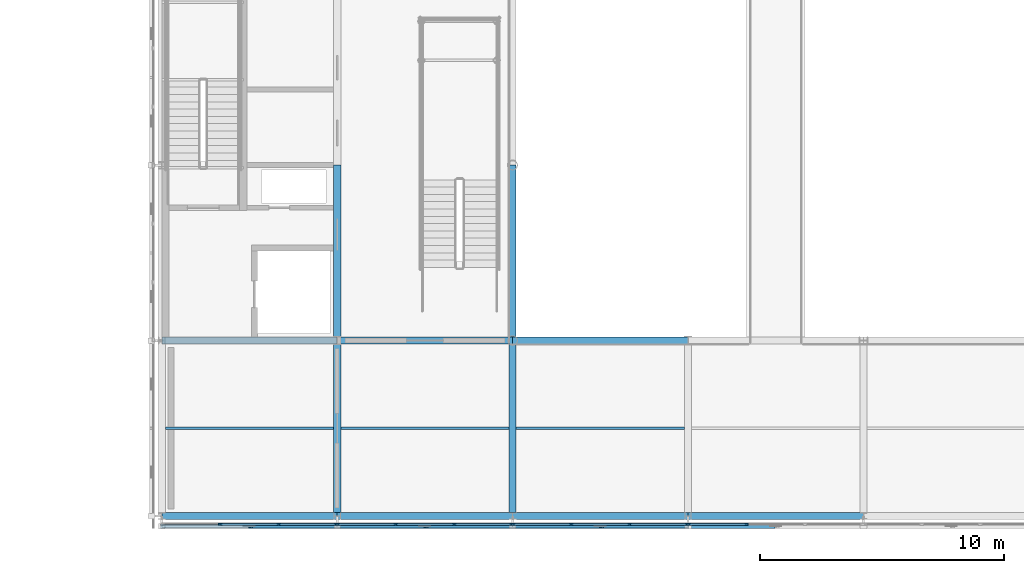
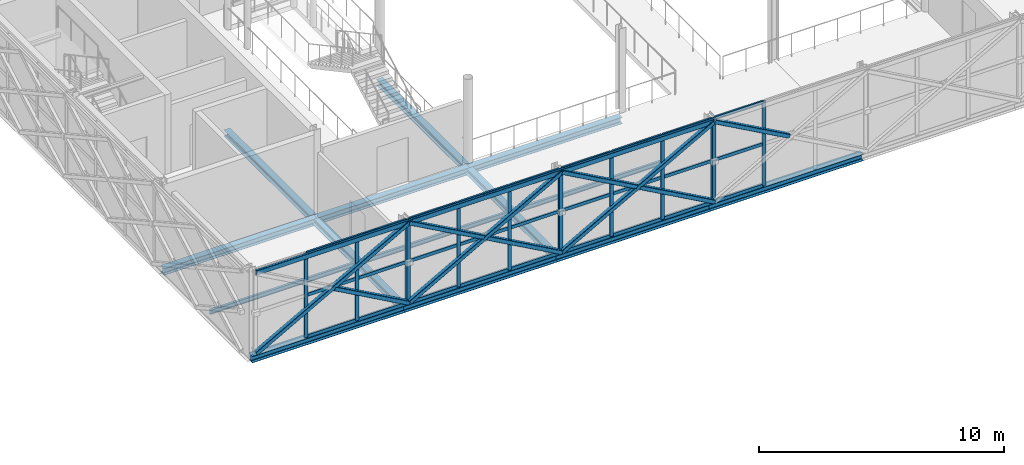
# One storey, part 36 of 103: 52 members, 14 beams, 4 elements without a shape of their own.
"""IFC4 building model written with IfcOpenShell, lengths in metres."""

from ifc_helpers import new_model, si_unit, direction, frame, origin, origin_2d, place, context, subcontext, project, spatial, rectangle, hollow_rectangle, i_section, extrude, material, material_profile, profile_set, type_object, element, aggregate, save


model = new_model("IFC4")

# Units and contexts
model_context = context("Model", 3, precision=1e-05, world=origin(), true_north=direction((0.0, 1.0)))
body_context = subcontext(model_context, "Body", "Model", "MODEL_VIEW")
ifc_project = project(units=[si_unit("LENGTHUNIT", "METRE"), si_unit("AREAUNIT", "SQUARE_METRE"), si_unit("VOLUMEUNIT", "CUBIC_METRE"), si_unit("PLANEANGLEUNIT", "RADIAN"), si_unit("MASSUNIT", "GRAM", prefix="KILO")], contexts=[model_context])

# Site, building, storey
site_placement = place(None, origin())
site = spatial("IfcSite", under=ifc_project, at=site_placement, CompositionType="ELEMENT")
building_placement = place(site_placement, origin())
building = spatial("IfcBuilding", under=site, at=building_placement, Name="Zlatovets Crest Museum", CompositionType="ELEMENT")
storey_placement = place(building_placement, frame((0.0, 0.0, 12.89990234375)))
storey = spatial("IfcBuildingStorey", under=building, at=storey_placement, Name="L03", CompositionType="ELEMENT", Elevation=12.89990234375)

# Beams
ifc_material_1 = material(Name="Structural steel S355J2", Category="steel")
ifc_material_profile_1 = material_profile(ifc_material_1, i_section(OverallWidth=0.300048828125, OverallDepth=0.31005859375, WebThickness=0.009033203125, FlangeThickness=0.015380859375, FilletRadius=0.027099609375, at=origin_2d()), Name="HEA 320")
ifc_profile_set_1 = profile_set([ifc_material_profile_1], Name="Structural steel S355J2")
beam_type_1 = type_object("IfcBeamType", Name="Beam_B-04", PredefinedType="BEAM", material=ifc_profile_set_1)
for number, where, z_axis, x_axis, name in (
    (1, (64.800048828125, 0.0, -0.39501953125), (0.0, 1.0, 0.0), (-1.0, 0.0, 0.0), "V2 L03 Grid Beam B-04"),
    (2, (64.800048828125, 7.199951171875, -0.39501953125), (0.0, 1.0, 0.0), (-1.0, 0.0, 0.0), "V2 L03 Grid Beam B-04"),
    (3, (72.0, 0.0, -0.39501953125), (0.0, 1.0, 0.0), (-1.0, 0.0, 0.0), "V2 L03 Grid Beam B-04"),
    (4, (72.0, 7.199951171875, -0.39501953125), (0.0, 1.0, 0.0), (-1.0, 0.0, 0.0), "V2 L03 Grid Beam B-04"),
):
    element("IfcBeam", number, at=place(storey_placement, frame(where, z_axis=z_axis, x_axis=x_axis)), inside=storey, type_object=beam_type_1, Name=name, PredefinedType="BEAM", context=body_context, shape_type="SweptSolid", body=[
        extrude(i_section(OverallWidth=0.300048828125, OverallDepth=0.31005859375, WebThickness=0.009033203125, FlangeThickness=0.015380859375, FilletRadius=0.027099609375, at=origin_2d()), origin(), (0.0, 0.0, 1.0), 7.199951171875),
    ])
ifc_material_profile_2 = material_profile(ifc_material_1, i_section(OverallWidth=0.300048828125, OverallDepth=0.330078125, WebThickness=0.009521484375, FlangeThickness=0.0166015625, FilletRadius=0.027099609375, at=origin_2d()), Name="HEA 340")
ifc_profile_set_2 = profile_set([ifc_material_profile_2], Name="Structural steel S355J2")
beam_type_2 = type_object("IfcBeamType", Name="Beam_B-11", PredefinedType="BEAM", material=ifc_profile_set_2)
for number, where, z_axis, x_axis, name in (
    (5, (57.60009765625, 0.0, -0.40478515625), (1.0, 0.0, 0.0), (0.0, 1.0, 0.0), "V2 L03 Primary Girder B-11"),
    (6, (64.800048828125, 0.0, -0.40478515625), (1.0, 0.0, 0.0), (0.0, 1.0, 0.0), "V2 L03 Primary Girder B-11"),
    (7, (72.0, 0.0, -0.40478515625), (1.0, 0.0, 0.0), (0.0, 1.0, 0.0), "V2 L03 Primary Girder B-11"),
    (8, (79.199951171875, 0.0, -0.40478515625), (1.0, 0.0, 0.0), (0.0, 1.0, 0.0), "V2 L03 Primary Girder B-11"),
    (9, (57.60009765625, 7.199951171875, -0.40478515625), (1.0, 0.0, 0.0), (0.0, 1.0, 0.0), "V2 L03 Primary Girder B-11"),
    (10, (64.800048828125, 7.199951171875, -0.40478515625), (1.0, 0.0, 0.0), (0.0, 1.0, 0.0), "V2 L03 Primary Girder B-11"),
    (11, (72.0, 7.199951171875, -0.40478515625), (1.0, 0.0, 0.0), (0.0, 1.0, 0.0), "V2 L03 Primary Girder B-11"),
):
    element("IfcBeam", number, at=place(storey_placement, frame(where, z_axis=z_axis, x_axis=x_axis)), inside=storey, type_object=beam_type_2, Name=name, PredefinedType="BEAM", context=body_context, shape_type="SweptSolid", body=[
        extrude(i_section(OverallWidth=0.300048828125, OverallDepth=0.330078125, WebThickness=0.009521484375, FlangeThickness=0.0166015625, FilletRadius=0.027099609375, at=origin_2d()), origin(), (0.0, 0.0, 1.0), 7.199951171875),
    ])
ifc_material_profile_3 = material_profile(ifc_material_1, i_section(OverallWidth=0.110107421875, OverallDepth=0.219970703125, WebThickness=0.005859375, FlangeThickness=0.00927734375, FilletRadius=0.011962890625, at=origin_2d()), Name="IPE 220")
ifc_profile_set_3 = profile_set([ifc_material_profile_3], Name="Structural steel S355J2")
beam_type_3 = type_object("IfcBeamType", Name="Beam_J-10", PredefinedType="JOIST", material=ifc_profile_set_3)
beam_placement = place(storey_placement, frame((57.75, 3.60009765625, -0.349853515625), z_axis=(1.0, 0.0, 0.0), x_axis=(0.0, 1.0, 0.0)))
element("IfcBeam", 12, at=beam_placement, inside=storey, type_object=beam_type_3, Name="V2 L03 Composite Joist J-10", PredefinedType="JOIST", context=body_context, shape_type="SweptSolid", body=[
    extrude(i_section(OverallWidth=0.110107421875, OverallDepth=0.219970703125, WebThickness=0.005859375, FlangeThickness=0.00927734375, FilletRadius=0.011962890625, at=origin_2d()), origin(), (0.0, 0.0, 1.0), 6.89990234375),
])
for number, where, z_axis, x_axis, name in (
    (13, (64.949951171875, 3.60009765625, -0.349853515625), (1.0, 0.0, 0.0), (0.0, 1.0, 0.0), "V2 L03 Composite Joist J-10"),
    (14, (72.14990234375, 3.60009765625, -0.349853515625), (1.0, 0.0, 0.0), (0.0, 1.0, 0.0), "V2 L03 Composite Joist J-10"),
):
    element("IfcBeam", number, at=place(storey_placement, frame(where, z_axis=z_axis, x_axis=x_axis)), inside=storey, type_object=beam_type_3, Name=name, PredefinedType="JOIST", context=body_context, shape_type="SweptSolid", body=[
        extrude(i_section(OverallWidth=0.110107421875, OverallDepth=0.219970703125, WebThickness=0.005859375, FlangeThickness=0.00927734375, FilletRadius=0.011962890625, at=origin_2d()), origin(), (0.0, 0.0, 1.0), 6.900146484375),
    ])

# Curtain wall, members
ifc_material_2 = material(Name="Bronze-anodised aluminium and low-E triple glass", Category="aluminium")
curtain_wall_type_1 = type_object("IfcCurtainWallType", Name="CW_CW-V2-L03-M0", PredefinedType="NOTDEFINED", material=ifc_material_2)
curtain_wall_1_placement = place(storey_placement, origin())
curtain_wall_1 = element("IfcCurtainWall", 15, at=curtain_wall_1_placement, inside=storey, type_object=curtain_wall_type_1, Name="V2 L03 Secession Foyer Clear Curtain Wall", PredefinedType="NOTDEFINED")
ifc_material_3 = material(Name="Bronze-anodised aluminium EN AW-6060", Category="aluminium")
ifc_material_profile_4 = material_profile(ifc_material_3, rectangle(XDim=0.080078125, YDim=0.159912109375, at=origin_2d()), Name="ALU 80x160")
ifc_profile_set_4 = profile_set([ifc_material_profile_4], Name="Bronze-anodised aluminium EN AW-6060")
member_type_1 = type_object("IfcMemberType", Name="CWMull_M1", PredefinedType="MULLION", material=ifc_profile_set_4)
member_1_placement = place(storey_placement, frame((60.0, -0.340087890625, 0.0), z_axis=(0.0, 0.0, 1.0), x_axis=(0.0, 1.0, 0.0)))
member_1 = element("IfcMember", 16, at=member_1_placement, type_object=member_type_1, Name="CW-V2-L03-M0 mullion 2", PredefinedType="MULLION", context=body_context, shape_type="SweptSolid", body=[
    extrude(rectangle(XDim=0.080078125, YDim=0.159912109375, at=origin_2d()), origin(), (0.0, 0.0, 1.0), 4.2001953125),
])
member_2_placement = place(storey_placement, frame((62.39990234375, -0.340087890625, 0.0), z_axis=(0.0, 0.0, 1.0), x_axis=(0.0, 1.0, 0.0)))
member_2 = element("IfcMember", 17, at=member_2_placement, type_object=member_type_1, Name="CW-V2-L03-M0 mullion 3", PredefinedType="MULLION", context=body_context, shape_type="SweptSolid", body=[
    extrude(rectangle(XDim=0.080078125, YDim=0.159912109375, at=origin_2d()), origin(), (0.0, 0.0, 1.0), 4.2001953125),
])
member_3_placement = place(storey_placement, frame((64.77001953125, -0.340087890625, 0.0), z_axis=(0.0, 0.0, 1.0), x_axis=(0.0, 1.0, 0.0)))
member_3 = element("IfcMember", 18, at=member_3_placement, type_object=member_type_1, Name="CW-V2-L03-M0 mullion 4", PredefinedType="MULLION", context=body_context, shape_type="SweptSolid", body=[
    extrude(rectangle(XDim=0.080078125, YDim=0.159912109375, at=origin_2d()), origin(), (0.0, 0.0, 1.0), 4.2001953125),
])

curtain_wall_type_2 = type_object("IfcCurtainWallType", Name="CW_CW-V2-L03-M1", PredefinedType="NOTDEFINED", material=ifc_material_2)
curtain_wall_2_placement = place(storey_placement, origin())
curtain_wall_2 = element("IfcCurtainWall", 19, at=curtain_wall_2_placement, inside=storey, type_object=curtain_wall_type_2, Name="V2 L03 Secession Foyer Clear Curtain Wall", PredefinedType="NOTDEFINED")
member_4_placement = place(storey_placement, frame((64.830078125, -0.340087890625, 0.0), z_axis=(0.0, 0.0, 1.0), x_axis=(0.0, 1.0, 0.0)))
member_4 = element("IfcMember", 20, at=member_4_placement, type_object=member_type_1, Name="CW-V2-L03-M1 mullion 1", PredefinedType="MULLION", context=body_context, shape_type="SweptSolid", body=[
    extrude(rectangle(XDim=0.080078125, YDim=0.159912109375, at=origin_2d()), origin(), (0.0, 0.0, 1.0), 4.2001953125),
])
member_5_placement = place(storey_placement, frame((67.199951171875, -0.340087890625, 0.0), z_axis=(0.0, 0.0, 1.0), x_axis=(0.0, 1.0, 0.0)))
member_5 = element("IfcMember", 21, at=member_5_placement, type_object=member_type_1, Name="CW-V2-L03-M1 mullion 2", PredefinedType="MULLION", context=body_context, shape_type="SweptSolid", body=[
    extrude(rectangle(XDim=0.080078125, YDim=0.159912109375, at=origin_2d()), origin(), (0.0, 0.0, 1.0), 4.2001953125),
])
member_6_placement = place(storey_placement, frame((69.60009765625, -0.340087890625, 0.0), z_axis=(0.0, 0.0, 1.0), x_axis=(0.0, 1.0, 0.0)))
member_6 = element("IfcMember", 22, at=member_6_placement, type_object=member_type_1, Name="CW-V2-L03-M1 mullion 3", PredefinedType="MULLION", context=body_context, shape_type="SweptSolid", body=[
    extrude(rectangle(XDim=0.080078125, YDim=0.159912109375, at=origin_2d()), origin(), (0.0, 0.0, 1.0), 4.2001953125),
])
member_7_placement = place(storey_placement, frame((71.969970703125, -0.340087890625, 0.0), z_axis=(0.0, 0.0, 1.0), x_axis=(0.0, 1.0, 0.0)))
member_7 = element("IfcMember", 23, at=member_7_placement, type_object=member_type_1, Name="CW-V2-L03-M1 mullion 4", PredefinedType="MULLION", context=body_context, shape_type="SweptSolid", body=[
    extrude(rectangle(XDim=0.080078125, YDim=0.159912109375, at=origin_2d()), origin(), (0.0, 0.0, 1.0), 4.2001953125),
])

curtain_wall_type_3 = type_object("IfcCurtainWallType", Name="CW_CW-V2-L03-M2", PredefinedType="NOTDEFINED", material=ifc_material_2)
curtain_wall_3_placement = place(storey_placement, origin())
curtain_wall_3 = element("IfcCurtainWall", 24, at=curtain_wall_3_placement, inside=storey, type_object=curtain_wall_type_3, Name="V2 L03 Secession Foyer Clear Curtain Wall", PredefinedType="NOTDEFINED")
member_8_placement = place(storey_placement, frame((72.030029296875, -0.340087890625, 0.0), z_axis=(0.0, 0.0, 1.0), x_axis=(0.0, 1.0, 0.0)))
member_8 = element("IfcMember", 25, at=member_8_placement, type_object=member_type_1, Name="CW-V2-L03-M2 mullion 1", PredefinedType="MULLION", context=body_context, shape_type="SweptSolid", body=[
    extrude(rectangle(XDim=0.080078125, YDim=0.159912109375, at=origin_2d()), origin(), (0.0, 0.0, 1.0), 4.2001953125),
])
member_9_placement = place(storey_placement, frame((74.39990234375, -0.340087890625, 0.0), z_axis=(0.0, 0.0, 1.0), x_axis=(0.0, 1.0, 0.0)))
member_9 = element("IfcMember", 26, at=member_9_placement, type_object=member_type_1, Name="CW-V2-L03-M2 mullion 2", PredefinedType="MULLION", context=body_context, shape_type="SweptSolid", body=[
    extrude(rectangle(XDim=0.080078125, YDim=0.159912109375, at=origin_2d()), origin(), (0.0, 0.0, 1.0), 4.2001953125),
])
member_10_placement = place(storey_placement, frame((76.800048828125, -0.340087890625, 0.0), z_axis=(0.0, 0.0, 1.0), x_axis=(0.0, 1.0, 0.0)))
member_10 = element("IfcMember", 27, at=member_10_placement, type_object=member_type_1, Name="CW-V2-L03-M2 mullion 3", PredefinedType="MULLION", context=body_context, shape_type="SweptSolid", body=[
    extrude(rectangle(XDim=0.080078125, YDim=0.159912109375, at=origin_2d()), origin(), (0.0, 0.0, 1.0), 4.2001953125),
])
member_11_placement = place(storey_placement, frame((79.169921875, -0.340087890625, 0.0), z_axis=(0.0, 0.0, 1.0), x_axis=(0.0, 1.0, 0.0)))
member_11 = element("IfcMember", 28, at=member_11_placement, type_object=member_type_1, Name="CW-V2-L03-M2 mullion 4", PredefinedType="MULLION", context=body_context, shape_type="SweptSolid", body=[
    extrude(rectangle(XDim=0.080078125, YDim=0.159912109375, at=origin_2d()), origin(), (0.0, 0.0, 1.0), 4.2001953125),
])

curtain_wall_type_4 = type_object("IfcCurtainWallType", Name="CW_CW-V2-L03-M3", PredefinedType="NOTDEFINED", material=ifc_material_2)
curtain_wall_4_placement = place(storey_placement, origin())
curtain_wall_4 = element("IfcCurtainWall", 29, at=curtain_wall_4_placement, inside=storey, type_object=curtain_wall_type_4, Name="V2 L03 Secession Foyer Clear Curtain Wall", PredefinedType="NOTDEFINED")
member_12_placement = place(storey_placement, frame((79.22998046875, -0.340087890625, 0.0), z_axis=(0.0, 0.0, 1.0), x_axis=(0.0, 1.0, 0.0)))
member_12 = element("IfcMember", 30, at=member_12_placement, type_object=member_type_1, Name="CW-V2-L03-M3 mullion 1", PredefinedType="MULLION", context=body_context, shape_type="SweptSolid", body=[
    extrude(rectangle(XDim=0.080078125, YDim=0.159912109375, at=origin_2d()), origin(), (0.0, 0.0, 1.0), 4.2001953125),
])
member_13_placement = place(storey_placement, frame((81.60009765625, -0.340087890625, 0.0), z_axis=(0.0, 0.0, 1.0), x_axis=(0.0, 1.0, 0.0)))
member_13 = element("IfcMember", 31, at=member_13_placement, type_object=member_type_1, Name="CW-V2-L03-M3 mullion 2", PredefinedType="MULLION", context=body_context, shape_type="SweptSolid", body=[
    extrude(rectangle(XDim=0.080078125, YDim=0.159912109375, at=origin_2d()), origin(), (0.0, 0.0, 1.0), 4.2001953125),
])

# Member
ifc_material_profile_5 = material_profile(ifc_material_3, rectangle(XDim=0.080078125, YDim=0.159912109375, at=origin_2d()), Name="ALU 80x160")
ifc_profile_set_5 = profile_set([ifc_material_profile_5], Name="Bronze-anodised aluminium EN AW-6060")
member_type_2 = type_object("IfcMemberType", Name="CWTrans_T1", PredefinedType="USERDEFINED", material=ifc_profile_set_5)
member_14_placement = place(storey_placement, frame((60.030029296875, -0.340087890625, 0.030029296875), z_axis=(1.0, 0.0, 0.0), x_axis=(0.0, 1.0, 0.0)))
member_14 = element("IfcMember", 32, at=member_14_placement, type_object=member_type_2, Name="CW-V2-L03-M0 transom 2.1", ObjectType="TRANSOM", PredefinedType="USERDEFINED", context=body_context, shape_type="SweptSolid", body=[
    extrude(rectangle(XDim=0.080078125, YDim=0.159912109375, at=origin_2d()), origin(), (0.0, 0.0, 1.0), 2.340087890625),
])

member_15_placement = place(storey_placement, frame((60.030029296875, -0.340087890625, 2.10009765625), z_axis=(1.0, 0.0, 0.0), x_axis=(0.0, 1.0, 0.0)))
member_15 = element("IfcMember", 33, at=member_15_placement, type_object=member_type_2, Name="CW-V2-L03-M0 transom 2.2", ObjectType="TRANSOM", PredefinedType="USERDEFINED", context=body_context, shape_type="SweptSolid", body=[
    extrude(rectangle(XDim=0.080078125, YDim=0.159912109375, at=origin_2d()), origin(), (0.0, 0.0, 1.0), 2.340087890625),
])

member_16_placement = place(storey_placement, frame((60.030029296875, -0.340087890625, 4.170166015625), z_axis=(1.0, 0.0, 0.0), x_axis=(0.0, 1.0, 0.0)))
member_16 = element("IfcMember", 34, at=member_16_placement, type_object=member_type_2, Name="CW-V2-L03-M0 transom 2.3", ObjectType="TRANSOM", PredefinedType="USERDEFINED", context=body_context, shape_type="SweptSolid", body=[
    extrude(rectangle(XDim=0.080078125, YDim=0.159912109375, at=origin_2d()), origin(), (0.0, 0.0, 1.0), 2.340087890625),
])

member_17_placement = place(storey_placement, frame((62.429931640625, -0.340087890625, 0.030029296875), z_axis=(1.0, 0.0, 0.0), x_axis=(0.0, 1.0, 0.0)))
member_17 = element("IfcMember", 35, at=member_17_placement, type_object=member_type_2, Name="CW-V2-L03-M0 transom 3.1", ObjectType="TRANSOM", PredefinedType="USERDEFINED", context=body_context, shape_type="SweptSolid", body=[
    extrude(rectangle(XDim=0.080078125, YDim=0.159912109375, at=origin_2d()), origin(), (0.0, 0.0, 1.0), 2.31005859375),
])

member_18_placement = place(storey_placement, frame((62.429931640625, -0.340087890625, 2.10009765625), z_axis=(1.0, 0.0, 0.0), x_axis=(0.0, 1.0, 0.0)))
member_18 = element("IfcMember", 36, at=member_18_placement, type_object=member_type_2, Name="CW-V2-L03-M0 transom 3.2", ObjectType="TRANSOM", PredefinedType="USERDEFINED", context=body_context, shape_type="SweptSolid", body=[
    extrude(rectangle(XDim=0.080078125, YDim=0.159912109375, at=origin_2d()), origin(), (0.0, 0.0, 1.0), 2.31005859375),
])

member_19_placement = place(storey_placement, frame((62.429931640625, -0.340087890625, 4.170166015625), z_axis=(1.0, 0.0, 0.0), x_axis=(0.0, 1.0, 0.0)))
member_19 = element("IfcMember", 37, at=member_19_placement, type_object=member_type_2, Name="CW-V2-L03-M0 transom 3.3", ObjectType="TRANSOM", PredefinedType="USERDEFINED", context=body_context, shape_type="SweptSolid", body=[
    extrude(rectangle(XDim=0.080078125, YDim=0.159912109375, at=origin_2d()), origin(), (0.0, 0.0, 1.0), 2.31005859375),
])

aggregate(curtain_wall_1, [member_1, member_2, member_3, member_14, member_15, member_16, member_17, member_18, member_19])

member_20_placement = place(storey_placement, frame((64.860107421875, -0.340087890625, 0.030029296875), z_axis=(1.0, 0.0, 0.0), x_axis=(0.0, 1.0, 0.0)))
member_20 = element("IfcMember", 38, at=member_20_placement, type_object=member_type_2, Name="CW-V2-L03-M1 transom 1.1", ObjectType="TRANSOM", PredefinedType="USERDEFINED", context=body_context, shape_type="SweptSolid", body=[
    extrude(rectangle(XDim=0.080078125, YDim=0.159912109375, at=origin_2d()), origin(), (0.0, 0.0, 1.0), 2.309814453125),
])

member_21_placement = place(storey_placement, frame((64.860107421875, -0.340087890625, 2.10009765625), z_axis=(1.0, 0.0, 0.0), x_axis=(0.0, 1.0, 0.0)))
member_21 = element("IfcMember", 39, at=member_21_placement, type_object=member_type_2, Name="CW-V2-L03-M1 transom 1.2", ObjectType="TRANSOM", PredefinedType="USERDEFINED", context=body_context, shape_type="SweptSolid", body=[
    extrude(rectangle(XDim=0.080078125, YDim=0.159912109375, at=origin_2d()), origin(), (0.0, 0.0, 1.0), 2.309814453125),
])

member_22_placement = place(storey_placement, frame((64.860107421875, -0.340087890625, 4.170166015625), z_axis=(1.0, 0.0, 0.0), x_axis=(0.0, 1.0, 0.0)))
member_22 = element("IfcMember", 40, at=member_22_placement, type_object=member_type_2, Name="CW-V2-L03-M1 transom 1.3", ObjectType="TRANSOM", PredefinedType="USERDEFINED", context=body_context, shape_type="SweptSolid", body=[
    extrude(rectangle(XDim=0.080078125, YDim=0.159912109375, at=origin_2d()), origin(), (0.0, 0.0, 1.0), 2.309814453125),
])

member_23_placement = place(storey_placement, frame((67.22998046875, -0.340087890625, 0.030029296875), z_axis=(1.0, 0.0, 0.0), x_axis=(0.0, 1.0, 0.0)))
member_23 = element("IfcMember", 41, at=member_23_placement, type_object=member_type_2, Name="CW-V2-L03-M1 transom 2.1", ObjectType="TRANSOM", PredefinedType="USERDEFINED", context=body_context, shape_type="SweptSolid", body=[
    extrude(rectangle(XDim=0.080078125, YDim=0.159912109375, at=origin_2d()), origin(), (0.0, 0.0, 1.0), 2.340087890625),
])

member_24_placement = place(storey_placement, frame((67.22998046875, -0.340087890625, 2.10009765625), z_axis=(1.0, 0.0, 0.0), x_axis=(0.0, 1.0, 0.0)))
member_24 = element("IfcMember", 42, at=member_24_placement, type_object=member_type_2, Name="CW-V2-L03-M1 transom 2.2", ObjectType="TRANSOM", PredefinedType="USERDEFINED", context=body_context, shape_type="SweptSolid", body=[
    extrude(rectangle(XDim=0.080078125, YDim=0.159912109375, at=origin_2d()), origin(), (0.0, 0.0, 1.0), 2.340087890625),
])

member_25_placement = place(storey_placement, frame((67.22998046875, -0.340087890625, 4.170166015625), z_axis=(1.0, 0.0, 0.0), x_axis=(0.0, 1.0, 0.0)))
member_25 = element("IfcMember", 43, at=member_25_placement, type_object=member_type_2, Name="CW-V2-L03-M1 transom 2.3", ObjectType="TRANSOM", PredefinedType="USERDEFINED", context=body_context, shape_type="SweptSolid", body=[
    extrude(rectangle(XDim=0.080078125, YDim=0.159912109375, at=origin_2d()), origin(), (0.0, 0.0, 1.0), 2.340087890625),
])

member_26_placement = place(storey_placement, frame((69.6298828125, -0.340087890625, 0.030029296875), z_axis=(1.0, 0.0, 0.0), x_axis=(0.0, 1.0, 0.0)))
member_26 = element("IfcMember", 44, at=member_26_placement, type_object=member_type_2, Name="CW-V2-L03-M1 transom 3.1", ObjectType="TRANSOM", PredefinedType="USERDEFINED", context=body_context, shape_type="SweptSolid", body=[
    extrude(rectangle(XDim=0.080078125, YDim=0.159912109375, at=origin_2d()), origin(), (0.0, 0.0, 1.0), 2.31005859375),
])

member_27_placement = place(storey_placement, frame((69.6298828125, -0.340087890625, 2.10009765625), z_axis=(1.0, 0.0, 0.0), x_axis=(0.0, 1.0, 0.0)))
member_27 = element("IfcMember", 45, at=member_27_placement, type_object=member_type_2, Name="CW-V2-L03-M1 transom 3.2", ObjectType="TRANSOM", PredefinedType="USERDEFINED", context=body_context, shape_type="SweptSolid", body=[
    extrude(rectangle(XDim=0.080078125, YDim=0.159912109375, at=origin_2d()), origin(), (0.0, 0.0, 1.0), 2.31005859375),
])

member_28_placement = place(storey_placement, frame((69.6298828125, -0.340087890625, 4.170166015625), z_axis=(1.0, 0.0, 0.0), x_axis=(0.0, 1.0, 0.0)))
member_28 = element("IfcMember", 46, at=member_28_placement, type_object=member_type_2, Name="CW-V2-L03-M1 transom 3.3", ObjectType="TRANSOM", PredefinedType="USERDEFINED", context=body_context, shape_type="SweptSolid", body=[
    extrude(rectangle(XDim=0.080078125, YDim=0.159912109375, at=origin_2d()), origin(), (0.0, 0.0, 1.0), 2.31005859375),
])

aggregate(curtain_wall_2, [member_4, member_5, member_6, member_7, member_20, member_21, member_22, member_23, member_24, member_25, member_26, member_27, member_28])

member_29_placement = place(storey_placement, frame((72.06005859375, -0.340087890625, 0.030029296875), z_axis=(1.0, 0.0, 0.0), x_axis=(0.0, 1.0, 0.0)))
member_29 = element("IfcMember", 47, at=member_29_placement, type_object=member_type_2, Name="CW-V2-L03-M2 transom 1.1", ObjectType="TRANSOM", PredefinedType="USERDEFINED", context=body_context, shape_type="SweptSolid", body=[
    extrude(rectangle(XDim=0.080078125, YDim=0.159912109375, at=origin_2d()), origin(), (0.0, 0.0, 1.0), 2.31005859375),
])

member_30_placement = place(storey_placement, frame((72.06005859375, -0.340087890625, 2.10009765625), z_axis=(1.0, 0.0, 0.0), x_axis=(0.0, 1.0, 0.0)))
member_30 = element("IfcMember", 48, at=member_30_placement, type_object=member_type_2, Name="CW-V2-L03-M2 transom 1.2", ObjectType="TRANSOM", PredefinedType="USERDEFINED", context=body_context, shape_type="SweptSolid", body=[
    extrude(rectangle(XDim=0.080078125, YDim=0.159912109375, at=origin_2d()), origin(), (0.0, 0.0, 1.0), 2.31005859375),
])

member_31_placement = place(storey_placement, frame((72.06005859375, -0.340087890625, 4.170166015625), z_axis=(1.0, 0.0, 0.0), x_axis=(0.0, 1.0, 0.0)))
member_31 = element("IfcMember", 49, at=member_31_placement, type_object=member_type_2, Name="CW-V2-L03-M2 transom 1.3", ObjectType="TRANSOM", PredefinedType="USERDEFINED", context=body_context, shape_type="SweptSolid", body=[
    extrude(rectangle(XDim=0.080078125, YDim=0.159912109375, at=origin_2d()), origin(), (0.0, 0.0, 1.0), 2.31005859375),
])

member_32_placement = place(storey_placement, frame((74.429931640625, -0.340087890625, 0.030029296875), z_axis=(1.0, 0.0, 0.0), x_axis=(0.0, 1.0, 0.0)))
member_32 = element("IfcMember", 50, at=member_32_placement, type_object=member_type_2, Name="CW-V2-L03-M2 transom 2.1", ObjectType="TRANSOM", PredefinedType="USERDEFINED", context=body_context, shape_type="SweptSolid", body=[
    extrude(rectangle(XDim=0.080078125, YDim=0.159912109375, at=origin_2d()), origin(), (0.0, 0.0, 1.0), 2.340087890625),
])

member_33_placement = place(storey_placement, frame((74.429931640625, -0.340087890625, 2.10009765625), z_axis=(1.0, 0.0, 0.0), x_axis=(0.0, 1.0, 0.0)))
member_33 = element("IfcMember", 51, at=member_33_placement, type_object=member_type_2, Name="CW-V2-L03-M2 transom 2.2", ObjectType="TRANSOM", PredefinedType="USERDEFINED", context=body_context, shape_type="SweptSolid", body=[
    extrude(rectangle(XDim=0.080078125, YDim=0.159912109375, at=origin_2d()), origin(), (0.0, 0.0, 1.0), 2.340087890625),
])

member_34_placement = place(storey_placement, frame((74.429931640625, -0.340087890625, 4.170166015625), z_axis=(1.0, 0.0, 0.0), x_axis=(0.0, 1.0, 0.0)))
member_34 = element("IfcMember", 52, at=member_34_placement, type_object=member_type_2, Name="CW-V2-L03-M2 transom 2.3", ObjectType="TRANSOM", PredefinedType="USERDEFINED", context=body_context, shape_type="SweptSolid", body=[
    extrude(rectangle(XDim=0.080078125, YDim=0.159912109375, at=origin_2d()), origin(), (0.0, 0.0, 1.0), 2.340087890625),
])

member_35_placement = place(storey_placement, frame((76.830078125, -0.340087890625, 0.030029296875), z_axis=(1.0, 0.0, 0.0), x_axis=(0.0, 1.0, 0.0)))
member_35 = element("IfcMember", 53, at=member_35_placement, type_object=member_type_2, Name="CW-V2-L03-M2 transom 3.1", ObjectType="TRANSOM", PredefinedType="USERDEFINED", context=body_context, shape_type="SweptSolid", body=[
    extrude(rectangle(XDim=0.080078125, YDim=0.159912109375, at=origin_2d()), origin(), (0.0, 0.0, 1.0), 2.309814453125),
])

member_36_placement = place(storey_placement, frame((76.830078125, -0.340087890625, 2.10009765625), z_axis=(1.0, 0.0, 0.0), x_axis=(0.0, 1.0, 0.0)))
member_36 = element("IfcMember", 54, at=member_36_placement, type_object=member_type_2, Name="CW-V2-L03-M2 transom 3.2", ObjectType="TRANSOM", PredefinedType="USERDEFINED", context=body_context, shape_type="SweptSolid", body=[
    extrude(rectangle(XDim=0.080078125, YDim=0.159912109375, at=origin_2d()), origin(), (0.0, 0.0, 1.0), 2.309814453125),
])

member_37_placement = place(storey_placement, frame((76.830078125, -0.340087890625, 4.170166015625), z_axis=(1.0, 0.0, 0.0), x_axis=(0.0, 1.0, 0.0)))
member_37 = element("IfcMember", 55, at=member_37_placement, type_object=member_type_2, Name="CW-V2-L03-M2 transom 3.3", ObjectType="TRANSOM", PredefinedType="USERDEFINED", context=body_context, shape_type="SweptSolid", body=[
    extrude(rectangle(XDim=0.080078125, YDim=0.159912109375, at=origin_2d()), origin(), (0.0, 0.0, 1.0), 2.309814453125),
])

aggregate(curtain_wall_3, [member_8, member_9, member_10, member_11, member_29, member_30, member_31, member_32, member_33, member_34, member_35, member_36, member_37])

member_38_placement = place(storey_placement, frame((79.260009765625, -0.340087890625, 0.030029296875), z_axis=(1.0, 0.0, 0.0), x_axis=(0.0, 1.0, 0.0)))
member_38 = element("IfcMember", 56, at=member_38_placement, type_object=member_type_2, Name="CW-V2-L03-M3 transom 1.1", ObjectType="TRANSOM", PredefinedType="USERDEFINED", context=body_context, shape_type="SweptSolid", body=[
    extrude(rectangle(XDim=0.080078125, YDim=0.159912109375, at=origin_2d()), origin(), (0.0, 0.0, 1.0), 2.31005859375),
])

member_39_placement = place(storey_placement, frame((79.260009765625, -0.340087890625, 2.10009765625), z_axis=(1.0, 0.0, 0.0), x_axis=(0.0, 1.0, 0.0)))
member_39 = element("IfcMember", 57, at=member_39_placement, type_object=member_type_2, Name="CW-V2-L03-M3 transom 1.2", ObjectType="TRANSOM", PredefinedType="USERDEFINED", context=body_context, shape_type="SweptSolid", body=[
    extrude(rectangle(XDim=0.080078125, YDim=0.159912109375, at=origin_2d()), origin(), (0.0, 0.0, 1.0), 2.31005859375),
])

member_40_placement = place(storey_placement, frame((79.260009765625, -0.340087890625, 4.170166015625), z_axis=(1.0, 0.0, 0.0), x_axis=(0.0, 1.0, 0.0)))
member_40 = element("IfcMember", 58, at=member_40_placement, type_object=member_type_2, Name="CW-V2-L03-M3 transom 1.3", ObjectType="TRANSOM", PredefinedType="USERDEFINED", context=body_context, shape_type="SweptSolid", body=[
    extrude(rectangle(XDim=0.080078125, YDim=0.159912109375, at=origin_2d()), origin(), (0.0, 0.0, 1.0), 2.31005859375),
])

aggregate(curtain_wall_4, [member_12, member_13, member_38, member_39, member_40])

# Members
ifc_material_4 = material(Name="Weathering bronze-steel S355J2W", Category="steel")
ifc_material_profile_6 = material_profile(ifc_material_4, hollow_rectangle(XDim=0.199951171875, YDim=0.199951171875, WallThickness=0.012451171875, InnerFilletRadius=0.012451171875, OuterFilletRadius=0.02490234375, at=origin_2d()), Name="SHS 200x200x12.5")
ifc_profile_set_6 = profile_set([ifc_material_profile_6], Name="Weathering bronze-steel S355J2W")
member_type_3 = type_object("IfcMemberType", Name="Lattice_XL-02", PredefinedType="BRACE", material=ifc_profile_set_6)
member_41_placement = place(storey_placement, frame((57.60009765625, -0.419921875, 0.10009765625), z_axis=(0.874155877937, 0.0, 0.485645447903), x_axis=(0.0, 1.0, 0.0)))
element("IfcMember", 59, at=member_41_placement, inside=storey, type_object=member_type_3, Name="Continuous Bronze Lattice Diagonal", PredefinedType="BRACE", context=body_context, shape_type="SweptSolid", body=[
    extrude(hollow_rectangle(XDim=0.199951171875, YDim=0.199951171875, WallThickness=0.012451171875, InnerFilletRadius=0.012451171875, OuterFilletRadius=0.02490234375, at=origin_2d()), origin(), (0.0, 0.0, 1.0), 8.236572265625),
])
member_42_placement = place(storey_placement, frame((61.282958984375, -0.419921875, 2.053955078125), z_axis=(0.874165862873, 0.0, -0.485627474703), x_axis=(0.0, 1.0, 0.0)))
element("IfcMember", 60, at=member_42_placement, inside=storey, type_object=member_type_3, Name="Split Crossing Bronze Lattice Diagonal Lower", PredefinedType="BRACE", context=body_context, shape_type="SweptSolid", body=[
    extrude(hollow_rectangle(XDim=0.199951171875, YDim=0.199951171875, WallThickness=0.012451171875, InnerFilletRadius=0.012451171875, OuterFilletRadius=0.02490234375, at=origin_2d()), origin(), (0.0, 0.0, 1.0), 4.0234375),
])
member_43_placement = place(storey_placement, frame((64.800048828125, -0.419921875, 0.10009765625), z_axis=(0.874155877937, 0.0, 0.485645447903), x_axis=(0.0, 1.0, 0.0)))
element("IfcMember", 61, at=member_43_placement, inside=storey, type_object=member_type_3, Name="Continuous Bronze Lattice Diagonal", PredefinedType="BRACE", context=body_context, shape_type="SweptSolid", body=[
    extrude(hollow_rectangle(XDim=0.199951171875, YDim=0.199951171875, WallThickness=0.012451171875, InnerFilletRadius=0.012451171875, OuterFilletRadius=0.02490234375, at=origin_2d()), origin(), (0.0, 0.0, 1.0), 8.236572265625),
])
member_44_placement = place(storey_placement, frame((64.800048828125, -0.419921875, 4.10009765625), z_axis=(0.874151551165, 0.0, -0.485653235958), x_axis=(0.0, 1.0, 0.0)))
element("IfcMember", 62, at=member_44_placement, inside=storey, type_object=member_type_3, Name="Split Crossing Bronze Lattice Diagonal Upper", PredefinedType="BRACE", context=body_context, shape_type="SweptSolid", body=[
    extrude(hollow_rectangle(XDim=0.199951171875, YDim=0.199951171875, WallThickness=0.012451171875, InnerFilletRadius=0.012451171875, OuterFilletRadius=0.02490234375, at=origin_2d()), origin(), (0.0, 0.0, 1.0), 4.023193359375),
])
member_45_placement = place(storey_placement, frame((68.48291015625, -0.419921875, 2.053955078125), z_axis=(0.874165862873, 0.0, -0.485627474703), x_axis=(0.0, 1.0, 0.0)))
element("IfcMember", 63, at=member_45_placement, inside=storey, type_object=member_type_3, Name="Split Crossing Bronze Lattice Diagonal Lower", PredefinedType="BRACE", context=body_context, shape_type="SweptSolid", body=[
    extrude(hollow_rectangle(XDim=0.199951171875, YDim=0.199951171875, WallThickness=0.012451171875, InnerFilletRadius=0.012451171875, OuterFilletRadius=0.02490234375, at=origin_2d()), origin(), (0.0, 0.0, 1.0), 4.0234375),
])
member_46_placement = place(storey_placement, frame((72.0, -0.419921875, 0.10009765625), z_axis=(0.874155877937, 0.0, 0.485645447903), x_axis=(0.0, 1.0, 0.0)))
element("IfcMember", 64, at=member_46_placement, inside=storey, type_object=member_type_3, Name="Continuous Bronze Lattice Diagonal", PredefinedType="BRACE", context=body_context, shape_type="SweptSolid", body=[
    extrude(hollow_rectangle(XDim=0.199951171875, YDim=0.199951171875, WallThickness=0.012451171875, InnerFilletRadius=0.012451171875, OuterFilletRadius=0.02490234375, at=origin_2d()), origin(), (0.0, 0.0, 1.0), 8.236572265625),
])
member_47_placement = place(storey_placement, frame((72.0, -0.419921875, 4.10009765625), z_axis=(0.874165862873, 0.0, -0.485627474703), x_axis=(0.0, 1.0, 0.0)))
element("IfcMember", 65, at=member_47_placement, inside=storey, type_object=member_type_3, Name="Split Crossing Bronze Lattice Diagonal Upper", PredefinedType="BRACE", context=body_context, shape_type="SweptSolid", body=[
    extrude(hollow_rectangle(XDim=0.199951171875, YDim=0.199951171875, WallThickness=0.012451171875, InnerFilletRadius=0.012451171875, OuterFilletRadius=0.02490234375, at=origin_2d()), origin(), (0.0, 0.0, 1.0), 4.0234375),
])
member_48_placement = place(storey_placement, frame((75.68310546875, -0.419921875, 2.053955078125), z_axis=(0.874151551165, 0.0, -0.485653235958), x_axis=(0.0, 1.0, 0.0)))
element("IfcMember", 66, at=member_48_placement, inside=storey, type_object=member_type_3, Name="Split Crossing Bronze Lattice Diagonal Lower", PredefinedType="BRACE", context=body_context, shape_type="SweptSolid", body=[
    extrude(hollow_rectangle(XDim=0.199951171875, YDim=0.199951171875, WallThickness=0.012451171875, InnerFilletRadius=0.012451171875, OuterFilletRadius=0.02490234375, at=origin_2d()), origin(), (0.0, 0.0, 1.0), 4.023193359375),
])
member_49_placement = place(storey_placement, frame((79.199951171875, -0.419921875, 4.10009765625), z_axis=(0.874165862873, 0.0, -0.485627474703), x_axis=(0.0, 1.0, 0.0)))
element("IfcMember", 67, at=member_49_placement, inside=storey, type_object=member_type_3, Name="Split Crossing Bronze Lattice Diagonal Upper", PredefinedType="BRACE", context=body_context, shape_type="SweptSolid", body=[
    extrude(hollow_rectangle(XDim=0.199951171875, YDim=0.199951171875, WallThickness=0.012451171875, InnerFilletRadius=0.012451171875, OuterFilletRadius=0.02490234375, at=origin_2d()), origin(), (0.0, 0.0, 1.0), 4.0234375),
])
ifc_material_profile_7 = material_profile(ifc_material_4, hollow_rectangle(XDim=0.1201171875, YDim=0.239990234375, WallThickness=0.010009765625, InnerFilletRadius=0.010009765625, OuterFilletRadius=0.02001953125, at=origin_2d()), Name="RHS 120x240x10.0")
ifc_profile_set_7 = profile_set([ifc_material_profile_7], Name="Weathering bronze-steel S355J2W")
member_type_4 = type_object("IfcMemberType", Name="Lattice_XL-04", PredefinedType="CHORD", material=ifc_profile_set_7)
for number, where, z_axis, x_axis, name in (
    (68, (57.60009765625, -0.419921875, 4.10009765625), (1.0, 0.0, 0.0), (0.0, 1.0, 0.0), "Art Nouveau Woven Cage Collector Ring Chord"),
    (69, (64.800048828125, -0.419921875, 4.10009765625), (1.0, 0.0, 0.0), (0.0, 1.0, 0.0), "Art Nouveau Woven Cage Collector Ring Chord"),
    (70, (72.0, -0.419921875, 4.10009765625), (1.0, 0.0, 0.0), (0.0, 1.0, 0.0), "Art Nouveau Woven Cage Collector Ring Chord"),
):
    element("IfcMember", number, at=place(storey_placement, frame(where, z_axis=z_axis, x_axis=x_axis)), inside=storey, type_object=member_type_4, Name=name, PredefinedType="CHORD", context=body_context, shape_type="SweptSolid", body=[
        extrude(hollow_rectangle(XDim=0.1201171875, YDim=0.239990234375, WallThickness=0.010009765625, InnerFilletRadius=0.010009765625, OuterFilletRadius=0.02001953125, at=origin_2d()), origin(), (0.0, 0.0, 1.0), 7.199951171875),
    ])

save(model, "model.ifc")
